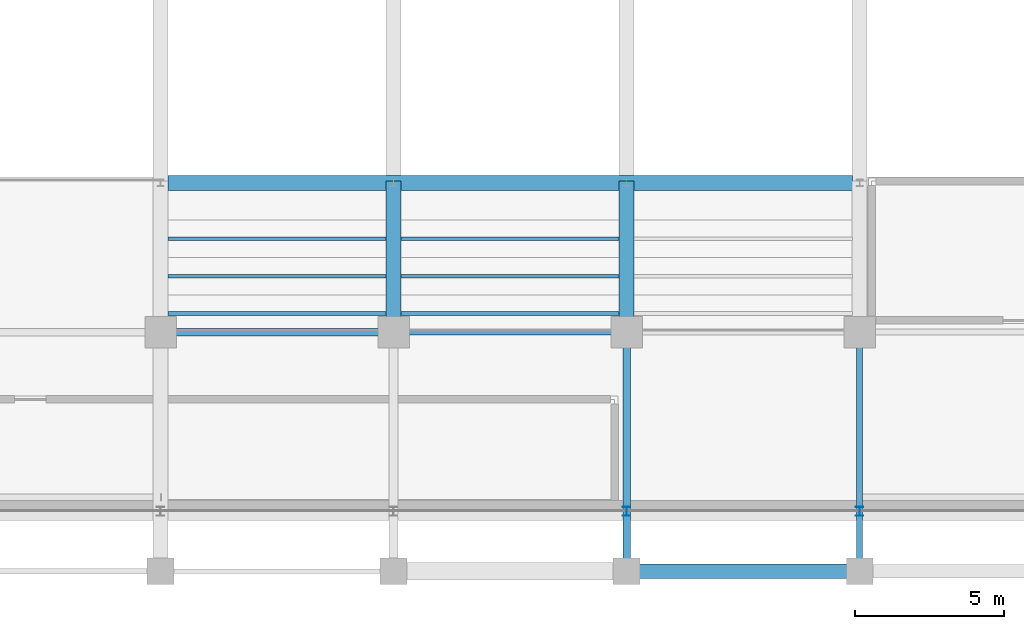
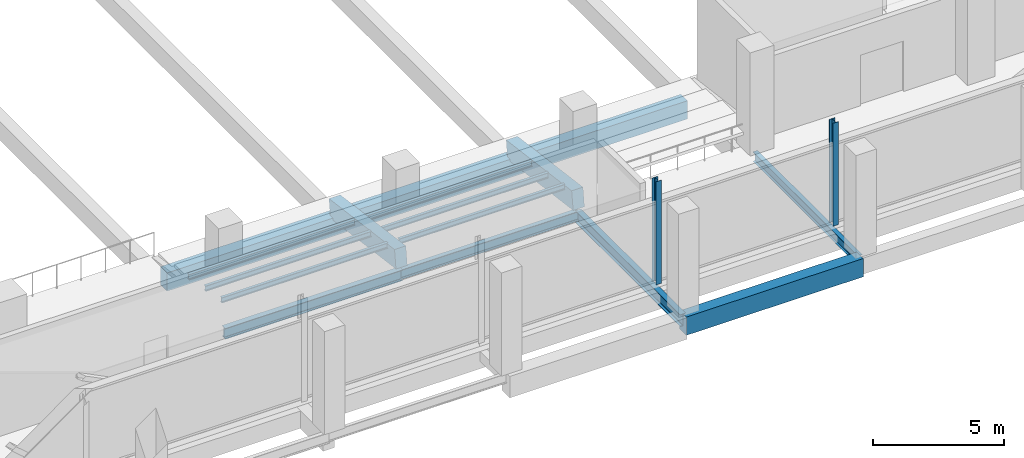
# One storey, part 37 of 102: 12 beams, 4 members.
"""IFC4 building model written with IfcOpenShell, lengths in metres."""

from ifc_helpers import new_model, si_unit, derived_unit, direction, frame, origin, origin_2d, place, context, subcontext, project, spatial, rectangle, i_section, extrude, material, material_profile, profile_set, type_object, element, save


model = new_model("IFC4")

# Units and contexts
model_context = context("Model", 3, precision=1e-05, world=origin(), true_north=direction((0.0, 1.0)))
body_context = subcontext(model_context, "Body", "Model", "MODEL_VIEW")
ifc_project = project(units=[si_unit("LENGTHUNIT", "METRE"), si_unit("AREAUNIT", "SQUARE_METRE"), si_unit("VOLUMEUNIT", "CUBIC_METRE"), si_unit("PLANEANGLEUNIT", "RADIAN"), si_unit("MASSUNIT", "GRAM", prefix="KILO"), derived_unit("THERMALTRANSMITTANCEUNIT", [(si_unit("POWERUNIT", "WATT"), 1), (si_unit("LENGTHUNIT", "METRE"), -2), (si_unit("THERMODYNAMICTEMPERATUREUNIT", "KELVIN"), -1)])], contexts=[model_context])

# Site, building, storey
site_placement = place(None, origin())
site = spatial("IfcSite", under=ifc_project, at=site_placement, CompositionType="ELEMENT")
building_placement = place(site_placement, origin())
building = spatial("IfcBuilding", under=site, at=building_placement, Name="Nallur Shell Playhouse", CompositionType="ELEMENT")
storey_placement = place(building_placement, frame((0.0, 0.0, 15.0)))
storey = spatial("IfcBuildingStorey", under=building, at=storey_placement, Name="L04", CompositionType="ELEMENT", Elevation=15.0)

# Beams
ifc_material_1 = material(Name="Steel E250", Category="steel")
ifc_material_profile_1 = material_profile(ifc_material_1, i_section(OverallWidth=0.125, OverallDepth=0.25, WebThickness=0.0068359375, FlangeThickness=0.012451171875, FilletRadius=0.012939453125, at=origin_2d()), Name="ISMB 250")
ifc_profile_set_1 = profile_set([ifc_material_profile_1], Name="Steel E250")
beam_type_1 = type_object("IfcBeamType", Name="BM-JST-ISMB250", PredefinedType="JOIST", material=ifc_profile_set_1)
beam_1_placement = place(storey_placement, frame((79.847900390625, 19.125, 0.10498046875), z_axis=(1.0, 0.0, 0.0), x_axis=(0.0, 1.0, 0.0)))
element("IfcBeam", 1, at=beam_1_placement, inside=storey, type_object=beam_type_1, Name="Seating tier step bearer UPPER row 2 (79.6-87.4)", PredefinedType="JOIST", context=body_context, shape_type="SweptSolid", body=[
    extrude(i_section(OverallWidth=0.125, OverallDepth=0.25, WebThickness=0.0068359375, FlangeThickness=0.012451171875, FilletRadius=0.012939453125, at=origin_2d()), origin(), (0.0, 0.0, 1.0), 7.30419921875),
])
beam_2_placement = place(storey_placement, frame((87.64794921875, 19.125, 0.10498046875), z_axis=(1.0, 0.0, 0.0), x_axis=(0.0, 1.0, 0.0)))
element("IfcBeam", 2, at=beam_2_placement, inside=storey, type_object=beam_type_1, Name="Seating tier step bearer UPPER row 2 (87.4-95.2)", PredefinedType="JOIST", context=body_context, shape_type="SweptSolid", body=[
    extrude(i_section(OverallWidth=0.125, OverallDepth=0.25, WebThickness=0.0068359375, FlangeThickness=0.012451171875, FilletRadius=0.012939453125, at=origin_2d()), origin(), (0.0, 0.0, 1.0), 7.303955078125),
])
beam_3_placement = place(storey_placement, frame((79.847900390625, 17.875, 0.324951171875), z_axis=(1.0, 0.0, 0.0), x_axis=(0.0, 1.0, 0.0)))
element("IfcBeam", 3, at=beam_3_placement, inside=storey, type_object=beam_type_1, Name="Seating tier step bearer UPPER row 3 (79.6-87.4)", PredefinedType="JOIST", context=body_context, shape_type="SweptSolid", body=[
    extrude(i_section(OverallWidth=0.125, OverallDepth=0.25, WebThickness=0.0068359375, FlangeThickness=0.012451171875, FilletRadius=0.012939453125, at=origin_2d()), origin(), (0.0, 0.0, 1.0), 7.30419921875),
])
beam_4_placement = place(storey_placement, frame((87.64794921875, 17.875, 0.324951171875), z_axis=(1.0, 0.0, 0.0), x_axis=(0.0, 1.0, 0.0)))
element("IfcBeam", 4, at=beam_4_placement, inside=storey, type_object=beam_type_1, Name="Seating tier step bearer UPPER row 3 (87.4-95.2)", PredefinedType="JOIST", context=body_context, shape_type="SweptSolid", body=[
    extrude(i_section(OverallWidth=0.125, OverallDepth=0.25, WebThickness=0.0068359375, FlangeThickness=0.012451171875, FilletRadius=0.012939453125, at=origin_2d()), origin(), (0.0, 0.0, 1.0), 7.303955078125),
])
beam_5_placement = place(storey_placement, frame((79.847900390625, 16.625, 0.544921875), z_axis=(1.0, 0.0, 0.0), x_axis=(0.0, 1.0, 0.0)))
element("IfcBeam", 5, at=beam_5_placement, inside=storey, type_object=beam_type_1, Name="Seating tier step bearer UPPER row 4 (79.6-87.4)", PredefinedType="JOIST", context=body_context, shape_type="SweptSolid", body=[
    extrude(i_section(OverallWidth=0.125, OverallDepth=0.25, WebThickness=0.0068359375, FlangeThickness=0.012451171875, FilletRadius=0.012939453125, at=origin_2d()), origin(), (0.0, 0.0, 1.0), 7.30419921875),
])
beam_6_placement = place(storey_placement, frame((87.64794921875, 16.625, 0.544921875), z_axis=(1.0, 0.0, 0.0), x_axis=(0.0, 1.0, 0.0)))
element("IfcBeam", 6, at=beam_6_placement, inside=storey, type_object=beam_type_1, Name="Seating tier step bearer UPPER row 4 (87.4-95.2)", PredefinedType="JOIST", context=body_context, shape_type="SweptSolid", body=[
    extrude(i_section(OverallWidth=0.125, OverallDepth=0.25, WebThickness=0.0068359375, FlangeThickness=0.012451171875, FilletRadius=0.012939453125, at=origin_2d()), origin(), (0.0, 0.0, 1.0), 7.303955078125),
])
ifc_material_2 = material(Name="Concrete M40", Category="concrete")
ifc_material_profile_2 = material_profile(ifc_material_2, rectangle(XDim=0.5, YDim=0.85009765625, at=origin_2d()), Name="RC 500x850")
ifc_profile_set_2 = profile_set([ifc_material_profile_2], Name="Concrete M40")
beam_type_2 = type_object("IfcBeamType", Name="BM-RC-500x850", PredefinedType="BEAM", material=ifc_profile_set_2)
beam_7_placement = place(storey_placement, frame((79.847900390625, 21.0, -1.139892578125), z_axis=(1.0, 0.0, 0.0), x_axis=(0.0, 1.0, 0.0)))
element("IfcBeam", 7, at=beam_7_placement, inside=storey, type_object=beam_type_2, Name="Auditorium balcony front carrier girder UPPER", PredefinedType="BEAM", context=body_context, shape_type="SweptSolid", body=[
    extrude(rectangle(XDim=0.5, YDim=0.85009765625, at=origin_2d()), origin(), (0.0, 0.0, 1.0), 22.904052734375),
])
beam_8_placement = place(storey_placement, frame((95.199951171875, 8.0, -0.68505859375), z_axis=(1.0, 0.0, 0.0), x_axis=(0.0, 1.0, 0.0)))
element("IfcBeam", 8, at=beam_8_placement, inside=storey, type_object=beam_type_2, Name="L04 girder X-A-749", PredefinedType="BEAM", context=body_context, shape_type="SweptSolid", body=[
    extrude(rectangle(XDim=0.5, YDim=0.85009765625, at=origin_2d()), origin(), (0.0, 0.0, 1.0), 7.800048828125),
])
ifc_material_3 = material(Name="Steel E350", Category="steel")
ifc_material_profile_3 = material_profile(ifc_material_3, i_section(OverallWidth=0.199951171875, OverallDepth=0.449951171875, WebThickness=0.00927734375, FlangeThickness=0.015380859375, FilletRadius=0.013916015625, at=origin_2d()), Name="ISWB 450")
ifc_profile_set_3 = profile_set([ifc_material_profile_3], Name="Steel E350")
beam_type_3 = type_object("IfcBeamType", Name="BM-ST-ISWB450", PredefinedType="BEAM", material=ifc_profile_set_3)
beam_9_placement = place(storey_placement, frame((87.39990234375, 16.0, -0.485107421875), z_axis=(1.0, 0.0, 0.0), x_axis=(0.0, 1.0, 0.0)))
element("IfcBeam", 9, at=beam_9_placement, inside=storey, type_object=beam_type_3, Name="L04 girder X-B-756", PredefinedType="BEAM", context=body_context, shape_type="SweptSolid", body=[
    extrude(i_section(OverallWidth=0.199951171875, OverallDepth=0.449951171875, WebThickness=0.00927734375, FlangeThickness=0.015380859375, FilletRadius=0.013916015625, at=origin_2d()), origin(), (0.0, 0.0, 1.0), 7.800048828125),
])
beam_10_placement = place(storey_placement, frame((103.0, 8.0, -0.485107421875), z_axis=(0.0, 1.0, 0.0), x_axis=(-1.0, 0.0, 0.0)))
element("IfcBeam", 10, at=beam_10_placement, inside=storey, type_object=beam_type_3, Name="L04 girder Y-13-852", PredefinedType="BEAM", context=body_context, shape_type="SweptSolid", body=[
    extrude(i_section(OverallWidth=0.199951171875, OverallDepth=0.449951171875, WebThickness=0.00927734375, FlangeThickness=0.015380859375, FilletRadius=0.013916015625, at=origin_2d()), origin(), (0.0, 0.0, 1.0), 8.0),
])
ifc_material_profile_4 = material_profile(ifc_material_3, i_section(OverallWidth=0.25, OverallDepth=0.5, WebThickness=0.010009765625, FlangeThickness=0.0146484375, FilletRadius=0.014892578125, at=origin_2d()), Name="ISWB 500")
ifc_profile_set_4 = profile_set([ifc_material_profile_4], Name="Steel E350")
beam_type_4 = type_object("IfcBeamType", Name="BM-ST-ISWB500", PredefinedType="BEAM", material=ifc_profile_set_4)
beam_11_placement = place(storey_placement, frame((79.60009765625, 16.0, -0.510009765625), z_axis=(1.0, 0.0, 0.0), x_axis=(0.0, 1.0, 0.0)))
element("IfcBeam", 11, at=beam_11_placement, inside=storey, type_object=beam_type_4, Name="L04 girder X-B-755", PredefinedType="BEAM", context=body_context, shape_type="SweptSolid", body=[
    extrude(i_section(OverallWidth=0.25, OverallDepth=0.5, WebThickness=0.010009765625, FlangeThickness=0.0146484375, FilletRadius=0.014892578125, at=origin_2d()), origin(), (0.0, 0.0, 1.0), 7.7998046875),
])
ifc_material_profile_5 = material_profile(ifc_material_3, i_section(OverallWidth=0.25, OverallDepth=0.550048828125, WebThickness=0.010498046875, FlangeThickness=0.017578125, FilletRadius=0.01611328125, at=origin_2d()), Name="ISWB 550")
ifc_profile_set_5 = profile_set([ifc_material_profile_5], Name="Steel E350")
beam_type_5 = type_object("IfcBeamType", Name="BM-ST-ISWB550", PredefinedType="BEAM", material=ifc_profile_set_5)
beam_12_placement = place(storey_placement, frame((95.199951171875, 8.0, -0.534912109375), z_axis=(0.0, 1.0, 0.0), x_axis=(-1.0, 0.0, 0.0)))
element("IfcBeam", 12, at=beam_12_placement, inside=storey, type_object=beam_type_5, Name="L04 girder Y-12-850", PredefinedType="BEAM", context=body_context, shape_type="SweptSolid", body=[
    extrude(i_section(OverallWidth=0.25, OverallDepth=0.550048828125, WebThickness=0.010498046875, FlangeThickness=0.017578125, FilletRadius=0.01611328125, at=origin_2d()), origin(), (0.0, 0.0, 1.0), 8.0),
])

# Members
ifc_material_profile_6 = material_profile(ifc_material_3, i_section(OverallWidth=0.25, OverallDepth=0.300048828125, WebThickness=0.009521484375, FlangeThickness=0.010498046875, FilletRadius=0.010986328125, at=origin_2d()), Name="ISHB 300")
ifc_profile_set_6 = profile_set([ifc_material_profile_6], Name="Steel E350")
member_type_1 = type_object("IfcMemberType", Name="MB-FASCIA-POST", PredefinedType="POST", material=ifc_profile_set_6)
for number, where, z_axis, x_axis, name in (
    (13, (95.199951171875, 10.0, 0.0), (0.0, 0.0, 1.0), (1.0, 0.0, 0.0), "Cantilever truss fascia post POST-GB-L04-05"),
    (14, (103.0, 10.0, 0.0), (0.0, 0.0, 1.0), (1.0, 0.0, 0.0), "Cantilever truss fascia post POST-GB-L04-06"),
):
    element("IfcMember", number, at=place(storey_placement, frame(where, z_axis=z_axis, x_axis=x_axis)), inside=storey, type_object=member_type_1, Name=name, PredefinedType="POST", context=body_context, shape_type="SweptSolid", body=[
        extrude(i_section(OverallWidth=0.25, OverallDepth=0.300048828125, WebThickness=0.009521484375, FlangeThickness=0.010498046875, FilletRadius=0.010986328125, at=origin_2d()), origin(), (0.0, 0.0, 1.0), 4.800048828125),
    ])
ifc_material_profile_7 = material_profile(ifc_material_2, rectangle(XDim=0.5, YDim=0.85009765625, at=origin_2d()), Name="RC 500x850")
ifc_profile_set_7 = profile_set([ifc_material_profile_7], Name="Concrete M40")
member_type_2 = type_object("IfcMemberType", Name="MB-RAKER-RC", PredefinedType="STRINGER", material=ifc_profile_set_7)
for number, where, z_axis, x_axis, name in (
    (15, (87.39990234375, 21.0, -0.4150390625), (0.0, -0.991396200209, 0.130895279559), (1.0, 0.0, 0.0), "Auditorium raker beam UPPER RAKER 2"),
    (16, (95.199951171875, 21.0, -0.4150390625), (0.0, -0.991396200209, 0.130895279559), (1.0, 0.0, 0.0), "Auditorium raker beam UPPER RAKER 3"),
):
    element("IfcMember", number, at=place(storey_placement, frame(where, z_axis=z_axis, x_axis=x_axis)), inside=storey, type_object=member_type_2, Name=name, PredefinedType="STRINGER", context=body_context, shape_type="SweptSolid", body=[
        extrude(rectangle(XDim=0.5, YDim=0.85009765625, at=origin_2d()), origin(), (0.0, 0.0, 1.0), 5.04345703125),
    ])

save(model, "model.ifc")
